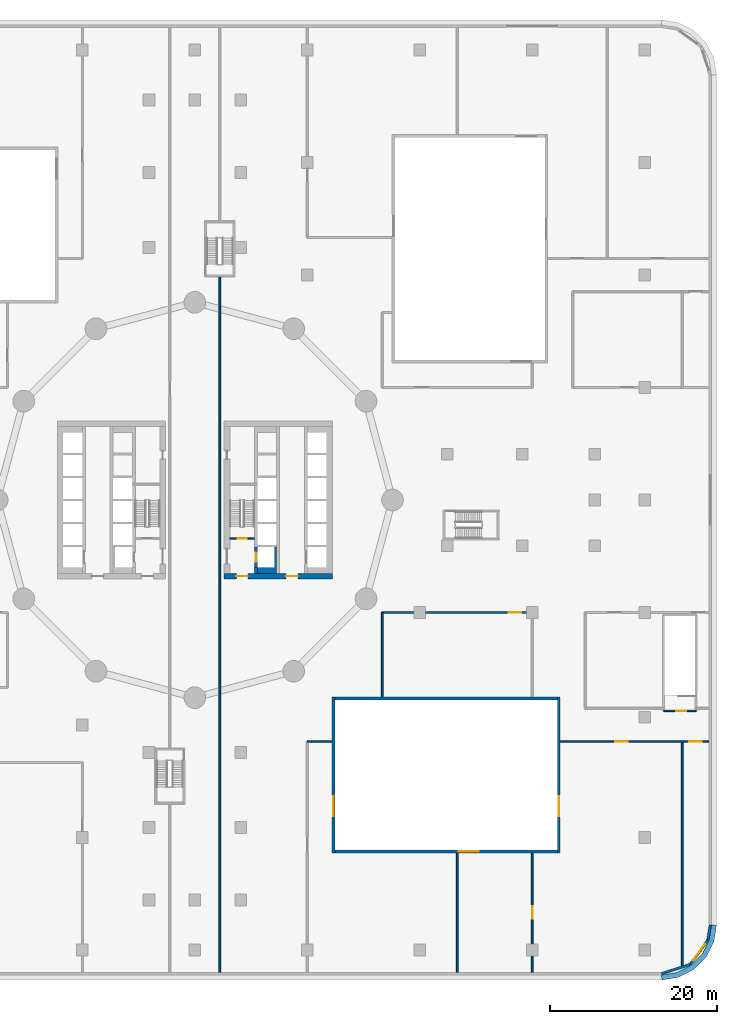
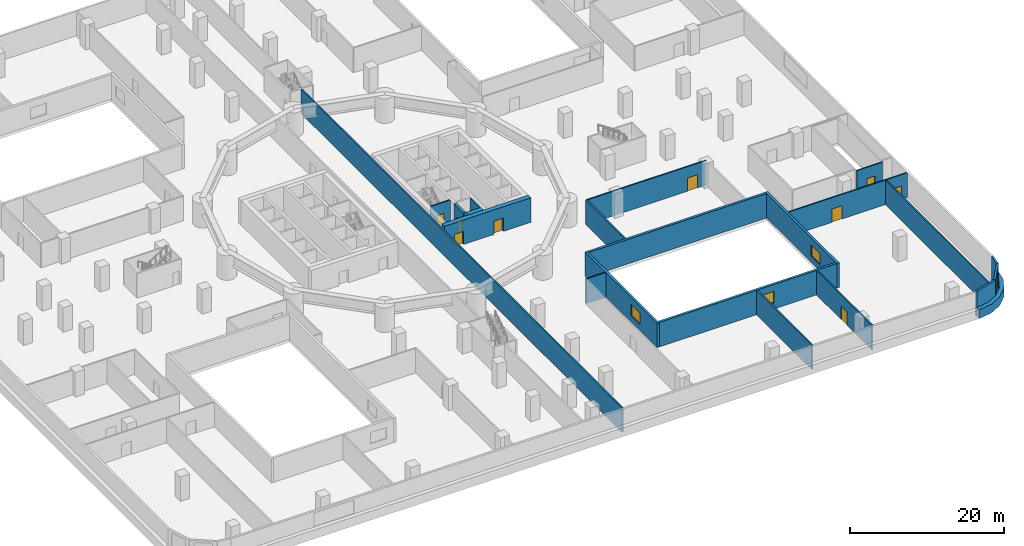
# One storey, part 6 of 16: 21 walls, 9 doors, 4 windows, 1 member, 13 openings.
"""IFC4 building model written with IfcOpenShell, lengths in metres."""

from ifc_helpers import new_model, si_unit, direction, frame, frame_2d, origin, place, context, subcontext, project, spatial, polyline, rectangle, outline, extrude, material, layer, layer_set, type_object, element, fill, aggregate, save


model = new_model("IFC4")

# Units and contexts
model_context = context("Model", 3, precision=1e-05, world=origin(), true_north=direction((0.0, 1.0)))
body_context = subcontext(model_context, "Body", "Model", "MODEL_VIEW")
ifc_project = project(units=[si_unit("LENGTHUNIT", "METRE"), si_unit("AREAUNIT", "SQUARE_METRE"), si_unit("VOLUMEUNIT", "CUBIC_METRE"), si_unit("PLANEANGLEUNIT", "RADIAN"), si_unit("MASSUNIT", "GRAM", prefix="KILO")], contexts=[model_context])

# Member
ifc_material_1 = material(Name="Aluminium and insulated spandrel panel", Category="aluminium")
member_type = type_object("IfcMemberType", Name="Floor-edge blade transom", PredefinedType="USERDEFINED", material=ifc_material_1)
site_placement = place(None, origin())
building_placement = place(site_placement, origin())
storey_placement = place(building_placement, frame((0.0, 0.0, 25.0)))
member_placement = place(storey_placement, origin())
member = element("IfcMember", 1, at=member_placement, type_object=member_type, Name="CWT-L04-07", ObjectType="TRANSOM", PredefinedType="USERDEFINED", context=body_context, shape_type="SweptSolid", body=[
    extrude(outline(polyline([(56.0, -57.0), (57.85400390625, -56.706298828125), (59.526611328125, -55.85400390625), (60.85400390625, -54.526611328125), (61.706298828125, -52.85400390625), (62.0, -51.0), (62.60009765625, -51.047119140625), (62.2841796875, -53.041748046875), (61.345458984375, -54.8837890625), (59.8837890625, -56.345458984375), (58.041748046875, -57.2841796875), (56.047119140625, -57.60009765625), (56.0, -57.0)])), origin(), (0.0, 0.0, 1.0), 1.39990234375),
])

# Site, building, storey
site = spatial("IfcSite", under=ifc_project, at=site_placement, CompositionType="ELEMENT")
building = spatial("IfcBuilding", under=site, at=building_placement, Name="Tamarind Cross Interchange Tower", CompositionType="ELEMENT")
storey = spatial("IfcBuildingStorey", under=building, at=storey_placement, Name="L04", CompositionType="ELEMENT", Elevation=25.0)

# Wall, openings, doors
ifc_material_2 = material(Name="Concrete C80", Category="concrete")
ifc_layer_1 = layer(ifc_material_2, 0.699951171875)
ifc_layer_set_1 = layer_set([ifc_layer_1], Name="Concrete C80")
wall_type_1 = type_object("IfcWallType", Name="Core wall 700 mm Concrete C80", PredefinedType="SHEAR", material=ifc_layer_set_1)
wall_1_placement = place(storey_placement, frame((16.5, -9.14990234375, 0.0), z_axis=(0.0, 0.0, 1.0), x_axis=(-1.0, 0.0, 0.0)))
wall_1 = element("IfcWall", 2, at=wall_1_placement, inside=storey, type_object=wall_type_1, Name="Core wall CWL-L04-E-S", PredefinedType="SHEAR", context=body_context, shape_type="SweptSolid", body=[
    extrude(rectangle(XDim=13.0, YDim=0.699951171875, at=frame_2d((6.5, 0.0))), origin(), (0.0, 0.0, 1.0), 3.89990234375),
])
opening_1_placement = place(wall_1_placement, frame((4.14990234375, 0.0, 0.0)))
opening_1 = element("IfcOpeningElement", 3, at=opening_1_placement, cuts=wall_1, Name="Opening DCE1", PredefinedType="OPENING", context=body_context, shape_type="SweptSolid", body=[
    extrude(rectangle(XDim=1.39990234375, YDim=2.10009765625, at=frame_2d((0.699951171875, 1.050048828125))), frame((0.0, 0.35986328125, 0.0), z_axis=(0.0, -1.0, 0.0), x_axis=(1.0, 0.0, 0.0)), (0.0, 0.0, 1.0), 0.719970703125),
])
opening_2_placement = place(wall_1_placement, frame((10.125, 0.0, 0.0)))
opening_2 = element("IfcOpeningElement", 4, at=opening_2_placement, cuts=wall_1, Name="Opening DCEF", PredefinedType="OPENING", context=body_context, shape_type="SweptSolid", body=[
    extrude(rectangle(XDim=1.39990234375, YDim=2.10009765625, at=frame_2d((0.699951171875, 1.050048828125))), frame((0.0, 0.35986328125, 0.0), z_axis=(0.0, -1.0, 0.0), x_axis=(1.0, 0.0, 0.0)), (0.0, 0.0, 1.0), 0.719970703125),
])
ifc_material_3 = material(Name="Steel, fire-resisting", Category="steel")
door_type_1 = type_object("IfcDoorType", Name="Core fire door 1400 x 2100 FD90", OperationType="SINGLE_SWING_LEFT", PredefinedType="DOOR", material=ifc_material_3)
door_1_placement = place(opening_1_placement, origin())
door_1 = element("IfcDoor", 5, at=door_1_placement, inside=storey, type_object=door_type_1, Name="L04 lift lobby door", OperationType="SINGLE_SWING_LEFT", OverallHeight=2.10009765625, OverallWidth=1.39990234375, PredefinedType="DOOR", context=body_context, shape_type="SweptSolid", body=[
    extrude(rectangle(XDim=1.39990234375, YDim=2.10009765625, at=frame_2d((0.699951171875, 1.050048828125))), frame((0.0, 0.02490234375, 0.0), z_axis=(0.0, -1.0, 0.0), x_axis=(1.0, 0.0, 0.0)), (0.0, 0.0, 1.0), 0.050048828125),
])
fill(opening_1, door_1)
door_2_placement = place(opening_2_placement, origin())
door_2 = element("IfcDoor", 6, at=door_2_placement, inside=storey, type_object=door_type_1, Name="L04 firefighting lobby end door", OperationType="SINGLE_SWING_LEFT", OverallHeight=2.10009765625, OverallWidth=1.39990234375, PredefinedType="DOOR", context=body_context, shape_type="SweptSolid", body=[
    extrude(rectangle(XDim=1.39990234375, YDim=2.10009765625, at=frame_2d((0.699951171875, 1.050048828125))), frame((0.0, 0.02490234375, 0.0), z_axis=(0.0, -1.0, 0.0), x_axis=(1.0, 0.0, 0.0)), (0.0, 0.0, 1.0), 0.050048828125),
])
fill(opening_2, door_2)

# Walls
ifc_layer_2 = layer(ifc_material_2, 0.35009765625)
ifc_layer_set_2 = layer_set([ifc_layer_2], Name="Concrete C80")
wall_type_2 = type_object("IfcWallType", Name="Core web wall 350 mm Concrete C80", PredefinedType="SHEAR", material=ifc_layer_set_2)
wall_2_placement = place(storey_placement, origin())
element("IfcWall", 7, at=wall_2_placement, inside=storey, type_object=wall_type_2, Name="Core wall CWL-L04-E-BS", PredefinedType="SHEAR", context=body_context, shape_type="SweptSolid", body=[
    extrude(outline(polyline([(7.5, -8.125), (7.5, -8.800048828125), (9.800048828125, -8.800048828125), (9.800048828125, -8.125), (9.800048828125, -5.625), (9.550048828125, -5.625), (9.550048828125, -8.125), (7.5, -8.125)])), origin(), (0.0, 0.0, 1.0), 3.89990234375),
])
wall_3_placement = place(storey_placement, frame((7.324951171875, -8.800048828125, 0.0), z_axis=(0.0, 0.0, 1.0), x_axis=(0.0, 1.0, 0.0)))
element("IfcWall", 8, at=wall_3_placement, inside=storey, type_object=wall_type_2, Name="Core wall CWL-L04-E-BW", PredefinedType="SHEAR", context=body_context, shape_type="SweptSolid", body=[
    extrude(rectangle(XDim=0.675048828125, YDim=0.35009765625, at=frame_2d((0.33740234375, 0.0))), origin(), (0.0, 0.0, 1.0), 3.89990234375),
])

# Wall, opening, door
wall_4_placement = place(storey_placement, frame((7.324951171875, -8.125, 0.0), z_axis=(0.0, 0.0, 1.0), x_axis=(0.0, 1.0, 0.0)))
wall_4 = element("IfcWall", 9, at=wall_4_placement, inside=storey, type_object=wall_type_2, Name="Core wall CWL-L04-E-FF", PredefinedType="SHEAR", context=body_context, shape_type="SweptSolid", body=[
    extrude(rectangle(XDim=2.5, YDim=0.35009765625, at=frame_2d((1.25, 0.0))), origin(), (0.0, 0.0, 1.0), 3.89990234375),
])
opening_3_placement = place(wall_4_placement, frame((0.699951171875, 0.0, 0.0)))
opening_3 = element("IfcOpeningElement", 10, at=opening_3_placement, cuts=wall_4, Name="Opening LD19L04", PredefinedType="OPENING", context=body_context, shape_type="SweptSolid", body=[
    extrude(rectangle(XDim=1.10009765625, YDim=2.10009765625, at=frame_2d((0.550048828125, 1.050048828125))), frame((0.0, 0.18505859375, 0.0), z_axis=(0.0, -1.0, 0.0), x_axis=(1.0, 0.0, 0.0)), (0.0, 0.0, 1.0), 0.3701171875),
])
ifc_material_4 = material(Name="Stainless steel panel", Category="steel")
door_type_2 = type_object("IfcDoorType", Name="Lift landing door 1100 x 2100 E 120", OperationType="SLIDING_TO_LEFT", PredefinedType="DOOR", material=ifc_material_4)
door_3_placement = place(opening_3_placement, origin())
door_3 = element("IfcDoor", 11, at=door_3_placement, inside=storey, type_object=door_type_2, Name="L04 landing door LF19", OperationType="SLIDING_TO_LEFT", OverallHeight=2.10009765625, OverallWidth=1.10009765625, PredefinedType="DOOR", context=body_context, shape_type="SweptSolid", body=[
    extrude(rectangle(XDim=1.10009765625, YDim=2.10009765625, at=frame_2d((0.550048828125, 1.050048828125))), frame((0.0, 0.02490234375, 0.0), z_axis=(0.0, -1.0, 0.0), x_axis=(1.0, 0.0, 0.0)), (0.0, 0.0, 1.0), 0.050048828125),
])
fill(opening_3, door_3)

# Walls
ifc_material_5 = material(Name="Masonry partition, fire-rated", Category="masonry")
ifc_layer_3 = layer(ifc_material_5, 0.199951171875)
ifc_layer_set_3 = layer_set([ifc_layer_3], Name="Masonry partition, fire-rated")
wall_type_3 = type_object("IfcWallType", Name="Fire partition 200 EI 120", PredefinedType="PARTITIONING", material=ifc_layer_set_3)
wall_5_placement = place(storey_placement, frame((3.0, -56.698974609375, 0.0), z_axis=(0.0, 0.0, 1.0), x_axis=(0.0, 1.0, 0.0)))
element("IfcWall", 12, at=wall_5_placement, inside=storey, type_object=wall_type_3, Name="L04 partition 33", PredefinedType="PARTITIONING", context=body_context, shape_type="SweptSolid", body=[
    extrude(rectangle(XDim=83.468994140625, YDim=0.199951171875, at=frame_2d((41.734375, 0.0))), origin(), (0.0, 0.0, 1.0), 3.89990234375),
])
wall_6_placement = place(storey_placement, frame((13.5, -29.0, 0.0), z_axis=(0.0, 0.0, 1.0), x_axis=(1.0, 0.0, 0.0)))
element("IfcWall", 13, at=wall_6_placement, inside=storey, type_object=wall_type_3, Name="L04 partition 36", PredefinedType="PARTITIONING", context=body_context, shape_type="SweptSolid", body=[
    extrude(rectangle(XDim=2.919921875, YDim=0.199951171875, at=frame_2d((1.4599609375, 0.0))), origin(), (0.0, 0.0, 1.0), 3.89990234375),
])
wall_7_placement = place(storey_placement, frame((22.5, -23.6201171875, 0.0), z_axis=(0.0, 0.0, 1.0), x_axis=(0.0, 1.0, 0.0)))
element("IfcWall", 14, at=wall_7_placement, inside=storey, type_object=wall_type_3, Name="L04 partition 39", PredefinedType="PARTITIONING", context=body_context, shape_type="SweptSolid", body=[
    extrude(rectangle(XDim=10.1201171875, YDim=0.199951171875, at=frame_2d((5.06005859375, 0.0))), origin(), (0.0, 0.0, 1.0), 3.89990234375),
])

# Wall, opening, door
wall_8_placement = place(storey_placement, frame((22.5, -13.5, 0.0), z_axis=(0.0, 0.0, 1.0), x_axis=(1.0, 0.0, 0.0)))
wall_8 = element("IfcWall", 15, at=wall_8_placement, inside=storey, type_object=wall_type_3, Name="L04 partition 40", PredefinedType="PARTITIONING", context=body_context, shape_type="SweptSolid", body=[
    extrude(rectangle(XDim=18.0, YDim=0.199951171875, at=frame_2d((9.0, 0.0))), origin(), (0.0, 0.0, 1.0), 3.89990234375),
])
opening_4_placement = place(wall_8_placement, frame((15.14208984375, 0.0, 0.0)))
opening_4 = element("IfcOpeningElement", 16, at=opening_4_placement, cuts=wall_8, Name="Opening DL04-21", PredefinedType="OPENING", context=body_context, shape_type="SweptSolid", body=[
    extrude(rectangle(XDim=1.5, YDim=2.10009765625, at=frame_2d((0.75, 1.050048828125))), frame((0.0, 0.10986328125, 0.0), z_axis=(0.0, -1.0, 0.0), x_axis=(1.0, 0.0, 0.0)), (0.0, 0.0, 1.0), 0.219970703125),
])
door_type_3 = type_object("IfcDoorType", Name="Podium door 1500 x 2100 FD90", OperationType="SINGLE_SWING_LEFT", PredefinedType="DOOR", material=ifc_material_3)
door_4_placement = place(opening_4_placement, origin())
door_4 = element("IfcDoor", 17, at=door_4_placement, inside=storey, type_object=door_type_3, Name="L04 door Chiller Plant Room 0420", OperationType="SINGLE_SWING_LEFT", OverallHeight=2.10009765625, OverallWidth=1.5, PredefinedType="DOOR", context=body_context, shape_type="SweptSolid", body=[
    extrude(rectangle(XDim=1.5, YDim=2.10009765625, at=frame_2d((0.75, 1.050048828125))), frame((0.0, 0.02490234375, 0.0), z_axis=(0.0, -1.0, 0.0), x_axis=(1.0, 0.0, 0.0)), (0.0, 0.0, 1.0), 0.050048828125),
])
fill(opening_4, door_4)

# Wall
wall_9_placement = place(storey_placement, frame((31.5, -56.698974609375, 0.0), z_axis=(0.0, 0.0, 1.0), x_axis=(0.0, 1.0, 0.0)))
element("IfcWall", 18, at=wall_9_placement, inside=storey, type_object=wall_type_3, Name="L04 partition 46", PredefinedType="PARTITIONING", context=body_context, shape_type="SweptSolid", body=[
    extrude(rectangle(XDim=14.319091796875, YDim=0.199951171875, at=frame_2d((7.15966796875, 0.0))), origin(), (0.0, 0.0, 1.0), 3.89990234375),
])

# Wall, opening, door
wall_10_placement = place(storey_placement, frame((40.5, -56.698974609375, 0.0), z_axis=(0.0, 0.0, 1.0), x_axis=(0.0, 1.0, 0.0)))
wall_10 = element("IfcWall", 19, at=wall_10_placement, inside=storey, type_object=wall_type_3, Name="L04 partition 48", PredefinedType="PARTITIONING", context=body_context, shape_type="SweptSolid", body=[
    extrude(rectangle(XDim=14.319091796875, YDim=0.199951171875, at=frame_2d((7.15966796875, 0.0))), origin(), (0.0, 0.0, 1.0), 3.89990234375),
])
opening_5_placement = place(wall_10_placement, frame((6.424072265625, 0.0, 0.0)))
opening_5 = element("IfcOpeningElement", 20, at=opening_5_placement, cuts=wall_10, Name="Opening DL04-24", PredefinedType="OPENING", context=body_context, shape_type="SweptSolid", body=[
    extrude(rectangle(XDim=1.5, YDim=2.10009765625, at=frame_2d((0.75, 1.050048828125))), frame((0.0, 0.10986328125, 0.0), z_axis=(0.0, -1.0, 0.0), x_axis=(1.0, 0.0, 0.0)), (0.0, 0.0, 1.0), 0.219970703125),
])
door_type_4 = type_object("IfcDoorType", Name="Podium door 1500 x 2100 FD60", OperationType="SINGLE_SWING_LEFT", PredefinedType="DOOR", material=ifc_material_3)
door_5_placement = place(opening_5_placement, origin())
door_5 = element("IfcDoor", 21, at=door_5_placement, inside=storey, type_object=door_type_4, Name="L04 door Water Tank Room 0424", OperationType="SINGLE_SWING_RIGHT", OverallHeight=2.10009765625, OverallWidth=1.5, PredefinedType="DOOR", context=body_context, shape_type="SweptSolid", body=[
    extrude(rectangle(XDim=1.5, YDim=2.10009765625, at=frame_2d((0.75, 1.050048828125))), frame((0.0, 0.02490234375, 0.0), z_axis=(0.0, -1.0, 0.0), x_axis=(1.0, 0.0, 0.0)), (0.0, 0.0, 1.0), 0.050048828125),
])
fill(opening_5, door_5)

# Wall, openings, doors
wall_11_placement = place(storey_placement, frame((43.8798828125, -29.0, 0.0), z_axis=(0.0, 0.0, 1.0), x_axis=(1.0, 0.0, 0.0)))
wall_11 = element("IfcWall", 22, at=wall_11_placement, inside=storey, type_object=wall_type_3, Name="L04 partition 50", PredefinedType="PARTITIONING", context=body_context, shape_type="SweptSolid", body=[
    extrude(rectangle(XDim=17.819091796875, YDim=0.199951171875, at=frame_2d((8.90966796875, 0.0))), origin(), (0.0, 0.0, 1.0), 3.89990234375),
])
opening_6_placement = place(wall_11_placement, frame((6.544921875, 0.0, 0.0)))
opening_6 = element("IfcOpeningElement", 23, at=opening_6_placement, cuts=wall_11, Name="Opening DL04-25", PredefinedType="OPENING", context=body_context, shape_type="SweptSolid", body=[
    extrude(rectangle(XDim=1.5, YDim=2.10009765625, at=frame_2d((0.75, 1.050048828125))), frame((0.0, 0.10986328125, 0.0), z_axis=(0.0, -1.0, 0.0), x_axis=(1.0, 0.0, 0.0)), (0.0, 0.0, 1.0), 0.219970703125),
])
opening_7_placement = place(wall_11_placement, frame((15.469970703125, 0.0, 0.0)))
opening_7 = element("IfcOpeningElement", 24, at=opening_7_placement, cuts=wall_11, Name="Opening DL04-26", PredefinedType="OPENING", context=body_context, shape_type="SweptSolid", body=[
    extrude(rectangle(XDim=1.5, YDim=2.10009765625, at=frame_2d((0.75, 1.050048828125))), frame((0.0, 0.10986328125, 0.0), z_axis=(0.0, -1.0, 0.0), x_axis=(1.0, 0.0, 0.0)), (0.0, 0.0, 1.0), 0.219970703125),
])
door_6_placement = place(opening_6_placement, origin())
door_6 = element("IfcDoor", 25, at=door_6_placement, inside=storey, type_object=door_type_4, Name="L04 door Battery Room 0425", OperationType="SINGLE_SWING_LEFT", OverallHeight=2.10009765625, OverallWidth=1.5, PredefinedType="DOOR", context=body_context, shape_type="SweptSolid", body=[
    extrude(rectangle(XDim=1.5, YDim=2.10009765625, at=frame_2d((0.75, 1.050048828125))), frame((0.0, 0.02490234375, 0.0), z_axis=(0.0, -1.0, 0.0), x_axis=(1.0, 0.0, 0.0)), (0.0, 0.0, 1.0), 0.050048828125),
])
fill(opening_6, door_6)
door_7_placement = place(opening_7_placement, origin())
door_7 = element("IfcDoor", 26, at=door_7_placement, inside=storey, type_object=door_type_3, Name="L04 door Chiller Plant Room 0426", OperationType="SINGLE_SWING_RIGHT", OverallHeight=2.10009765625, OverallWidth=1.5, PredefinedType="DOOR", context=body_context, shape_type="SweptSolid", body=[
    extrude(rectangle(XDim=1.5, YDim=2.10009765625, at=frame_2d((0.75, 1.050048828125))), frame((0.0, 0.02490234375, 0.0), z_axis=(0.0, -1.0, 0.0), x_axis=(1.0, 0.0, 0.0)), (0.0, 0.0, 1.0), 0.050048828125),
])
fill(opening_7, door_7)

# Wall
wall_12_placement = place(storey_placement, frame((58.5, -56.03955078125, 0.0), z_axis=(0.0, 0.0, 1.0), x_axis=(0.0, 1.0, 0.0)))
element("IfcWall", 27, at=wall_12_placement, inside=storey, type_object=wall_type_3, Name="L04 partition 55", PredefinedType="PARTITIONING", context=body_context, shape_type="SweptSolid", body=[
    extrude(rectangle(XDim=27.03955078125, YDim=0.199951171875, at=frame_2d((13.519775390625, 0.0))), origin(), (0.0, 0.0, 1.0), 3.89990234375),
])

ifc_material_6 = material(Name="Precast concrete C40", Category="concrete")
ifc_layer_4 = layer(ifc_material_6, 0.300048828125)
ifc_layer_set_4 = layer_set([ifc_layer_4], Name="Precast concrete C40")
wall_type_4 = type_object("IfcWallType", Name="Plant louvre wall", PredefinedType="SOLIDWALL", material=ifc_layer_set_4)
wall_13_placement = place(storey_placement, frame((55.98828125, -56.85009765625, 0.0), z_axis=(0.0, 0.0, 1.0), x_axis=(0.951204127457, 0.308562324189, 0.0)))
wall_13 = element("IfcWall", 28, at=wall_13_placement, inside=storey, type_object=wall_type_4, Name="EXW-L04-07-00", PredefinedType="SOLIDWALL", context=body_context, shape_type="SweptSolid", body=[
    extrude(rectangle(XDim=3.626220703125, YDim=0.300048828125, at=frame_2d((1.81298828125, 0.0))), origin(), (0.0, 0.0, 1.0), 3.89990234375),
])

aggregate(wall_13, [member])

# Wall, opening, window
wall_14_placement = place(storey_placement, frame((59.4375, -55.731201171875, 0.0), z_axis=(0.0, 0.0, 1.0), x_axis=(0.587794100557, 0.80901056566, 0.0)))
wall_14 = element("IfcWall", 29, at=wall_14_placement, inside=storey, type_object=wall_type_4, Name="EXW-L04-07-01", PredefinedType="SOLIDWALL", context=body_context, shape_type="SweptSolid", body=[
    extrude(rectangle(XDim=3.614501953125, YDim=0.300048828125, at=frame_2d((1.80712890625, 0.0))), origin(), (0.0, 0.0, 1.0), 3.89990234375),
])
opening_8_placement = place(wall_14_placement, frame((0.60009765625, 0.0, 1.39990234375)))
opening_8 = element("IfcOpeningElement", 30, at=opening_8_placement, cuts=wall_14, Name="Opening W2", PredefinedType="OPENING", context=body_context, shape_type="SweptSolid", body=[
    extrude(rectangle(XDim=2.414306640625, YDim=2.199951171875, at=frame_2d((1.20703125, 1.10009765625))), frame((0.0, 0.159912109375, 0.0), z_axis=(0.0, -1.0, 0.0), x_axis=(1.0, 0.0, 0.0)), (0.0, 0.0, 1.0), 0.320068359375),
])
ifc_material_7 = material(Name="Aluminium louvre", Category="aluminium")
window_type_1 = type_object("IfcWindowType", Name="Plant louvre bank", PartitioningType="SINGLE_PANEL", PredefinedType="WINDOW", material=ifc_material_7)
window_1_placement = place(opening_8_placement, origin())
window_1 = element("IfcWindow", 31, at=window_1_placement, inside=storey, type_object=window_type_1, Name="WIN-L04-07-01", OverallHeight=2.199951171875, OverallWidth=2.414306640625, PartitioningType="SINGLE_PANEL", PredefinedType="WINDOW", context=body_context, shape_type="SweptSolid", body=[
    extrude(rectangle(XDim=2.414306640625, YDim=2.199951171875, at=frame_2d((1.20703125, 1.10009765625))), frame((0.0, 0.030029296875, 0.0), z_axis=(0.0, -1.0, 0.0), x_axis=(1.0, 0.0, 0.0)), (0.0, 0.0, 1.0), 0.06005859375),
])
fill(opening_8, window_1)

# Wall
wall_15_placement = place(storey_placement, frame((61.56201171875, -52.80712890625, 0.0), z_axis=(0.0, 0.0, 1.0), x_axis=(0.15643911056, 0.987687604806, 0.0)))
element("IfcWall", 32, at=wall_15_placement, inside=storey, type_object=wall_type_4, Name="EXW-L04-07-02", PredefinedType="SOLIDWALL", context=body_context, shape_type="SweptSolid", body=[
    extrude(rectangle(XDim=1.841552734375, YDim=0.300048828125, at=frame_2d((0.9208984375, 0.0))), origin(), (0.0, 0.0, 1.0), 3.89990234375),
])

# Wall, opening, window
ifc_layer_5 = layer(ifc_material_6, 0.35009765625)
ifc_layer_set_5 = layer_set([ifc_layer_5], Name="Precast concrete C40")
wall_type_5 = type_object("IfcWallType", Name="Podium facade wall", PredefinedType="SOLIDWALL", material=ifc_layer_set_5)
wall_16_placement = place(storey_placement, frame((16.800048828125, -42.175048828125, 0.0), z_axis=(0.0, 0.0, 1.0), x_axis=(1.0, 0.0, 0.0)))
wall_16 = element("IfcWall", 33, at=wall_16_placement, inside=storey, type_object=wall_type_5, Name="CTW-L04-SES00", PredefinedType="SOLIDWALL", context=body_context, shape_type="SweptSolid", body=[
    extrude(rectangle(XDim=26.699951171875, YDim=0.35009765625, at=frame_2d((13.35009765625, 0.0))), origin(), (0.0, 0.0, 1.0), 3.89990234375),
])
opening_9_placement = place(wall_16_placement, frame((14.85009765625, 0.0, 1.0)))
opening_9 = element("IfcOpeningElement", 34, at=opening_9_placement, cuts=wall_16, Name="Opening W4", PredefinedType="OPENING", context=body_context, shape_type="SweptSolid", body=[
    extrude(rectangle(XDim=2.39990234375, YDim=1.800048828125, at=frame_2d((1.199951171875, 0.89990234375))), frame((0.0, 0.18505859375, 0.0), z_axis=(0.0, -1.0, 0.0), x_axis=(1.0, 0.0, 0.0)), (0.0, 0.0, 1.0), 0.3701171875),
])
ifc_material_8 = material(Name="Aluminium and toughened glass", Category="aluminium")
window_type_2 = type_object("IfcWindowType", Name="Podium daylight window", PartitioningType="SINGLE_PANEL", PredefinedType="WINDOW", material=ifc_material_8)
window_2_placement = place(opening_9_placement, origin())
window_2 = element("IfcWindow", 35, at=window_2_placement, inside=storey, type_object=window_type_2, Name="CTX-L04-SES-01-00", OverallHeight=1.800048828125, OverallWidth=2.39990234375, PartitioningType="SINGLE_PANEL", PredefinedType="WINDOW", context=body_context, shape_type="SweptSolid", body=[
    extrude(rectangle(XDim=2.39990234375, YDim=1.800048828125, at=frame_2d((1.199951171875, 0.89990234375))), frame((0.0, 0.030029296875, 0.0), z_axis=(0.0, -1.0, 0.0), x_axis=(1.0, 0.0, 0.0)), (0.0, 0.0, 1.0), 0.06005859375),
])
fill(opening_9, window_2)

# Wall
wall_17_placement = place(storey_placement, frame((16.800048828125, -23.824951171875, 0.0), z_axis=(0.0, 0.0, 1.0), x_axis=(1.0, 0.0, 0.0)))
element("IfcWall", 36, at=wall_17_placement, inside=storey, type_object=wall_type_5, Name="CTW-L04-SEN00", PredefinedType="SOLIDWALL", context=body_context, shape_type="SweptSolid", body=[
    extrude(rectangle(XDim=26.699951171875, YDim=0.35009765625, at=frame_2d((13.35009765625, 0.0))), origin(), (0.0, 0.0, 1.0), 3.89990234375),
])

# Wall, opening, window
wall_18_placement = place(storey_placement, frame((16.625, -42.35009765625, 0.0), z_axis=(0.0, 0.0, 1.0), x_axis=(0.0, 1.0, 0.0)))
wall_18 = element("IfcWall", 37, at=wall_18_placement, inside=storey, type_object=wall_type_5, Name="CTW-L04-SEW00", PredefinedType="SOLIDWALL", context=body_context, shape_type="SweptSolid", body=[
    extrude(rectangle(XDim=18.7001953125, YDim=0.35009765625, at=frame_2d((9.35009765625, 0.0))), origin(), (0.0, 0.0, 1.0), 3.89990234375),
])
opening_10_placement = place(wall_18_placement, frame((4.39990234375, 0.0, 1.0)))
opening_10 = element("IfcOpeningElement", 38, at=opening_10_placement, cuts=wall_18, Name="Opening W4", PredefinedType="OPENING", context=body_context, shape_type="SweptSolid", body=[
    extrude(rectangle(XDim=2.39990234375, YDim=1.800048828125, at=frame_2d((1.199951171875, 0.89990234375))), frame((0.0, 0.18505859375, 0.0), z_axis=(0.0, -1.0, 0.0), x_axis=(1.0, 0.0, 0.0)), (0.0, 0.0, 1.0), 0.3701171875),
])
window_3_placement = place(opening_10_placement, origin())
window_3 = element("IfcWindow", 39, at=window_3_placement, inside=storey, type_object=window_type_2, Name="CTX-L04-SEW-00-00", OverallHeight=1.800048828125, OverallWidth=2.39990234375, PartitioningType="SINGLE_PANEL", PredefinedType="WINDOW", context=body_context, shape_type="SweptSolid", body=[
    extrude(rectangle(XDim=2.39990234375, YDim=1.800048828125, at=frame_2d((1.199951171875, 0.89990234375))), frame((0.0, 0.030029296875, 0.0), z_axis=(0.0, -1.0, 0.0), x_axis=(1.0, 0.0, 0.0)), (0.0, 0.0, 1.0), 0.06005859375),
])
fill(opening_10, window_3)

wall_19_placement = place(storey_placement, frame((43.675048828125, -42.35009765625, 0.0), z_axis=(0.0, 0.0, 1.0), x_axis=(0.0, 1.0, 0.0)))
wall_19 = element("IfcWall", 40, at=wall_19_placement, inside=storey, type_object=wall_type_5, Name="CTW-L04-SEE00", PredefinedType="SOLIDWALL", context=body_context, shape_type="SweptSolid", body=[
    extrude(rectangle(XDim=18.7001953125, YDim=0.35009765625, at=frame_2d((9.35009765625, 0.0))), origin(), (0.0, 0.0, 1.0), 3.89990234375),
])
opening_11_placement = place(wall_19_placement, frame((4.39990234375, 0.0, 1.0)))
opening_11 = element("IfcOpeningElement", 41, at=opening_11_placement, cuts=wall_19, Name="Opening W4", PredefinedType="OPENING", context=body_context, shape_type="SweptSolid", body=[
    extrude(rectangle(XDim=2.39990234375, YDim=1.800048828125, at=frame_2d((1.199951171875, 0.89990234375))), frame((0.0, 0.18505859375, 0.0), z_axis=(0.0, -1.0, 0.0), x_axis=(1.0, 0.0, 0.0)), (0.0, 0.0, 1.0), 0.3701171875),
])
window_4_placement = place(opening_11_placement, origin())
window_4 = element("IfcWindow", 42, at=window_4_placement, inside=storey, type_object=window_type_2, Name="CTX-L04-SEE-00-00", OverallHeight=1.800048828125, OverallWidth=2.39990234375, PartitioningType="SINGLE_PANEL", PredefinedType="WINDOW", context=body_context, shape_type="SweptSolid", body=[
    extrude(rectangle(XDim=2.39990234375, YDim=1.800048828125, at=frame_2d((1.199951171875, 0.89990234375))), frame((0.0, 0.030029296875, 0.0), z_axis=(0.0, -1.0, 0.0), x_axis=(1.0, 0.0, 0.0)), (0.0, 0.0, 1.0), 0.06005859375),
])
fill(opening_11, window_4)

# Wall, opening, door
ifc_material_9 = material(Name="Concrete C40", Category="concrete")
ifc_layer_6 = layer(ifc_material_9, 0.199951171875)
ifc_layer_set_6 = layer_set([ifc_layer_6], Name="Concrete C40")
wall_type_6 = type_object("IfcWallType", Name="Stair shaft wall 200 EI 180", PredefinedType="PARTITIONING", material=ifc_layer_set_6)
wall_20_placement = place(storey_placement, frame((56.25, -25.300048828125, 0.0), z_axis=(0.0, 0.0, 1.0), x_axis=(1.0, 0.0, 0.0)))
wall_20 = element("IfcWall", 43, at=wall_20_placement, inside=storey, type_object=wall_type_6, Name="L04 stair shaft wall 4", PredefinedType="PARTITIONING", context=body_context, shape_type="SweptSolid", body=[
    extrude(rectangle(XDim=3.89990234375, YDim=0.199951171875, at=frame_2d((1.949951171875, 0.0))), origin(), (0.0, 0.0, 1.0), 3.89990234375),
])
opening_12_placement = place(wall_20_placement, frame((1.510009765625, 0.0, 0.0)))
opening_12 = element("IfcOpeningElement", 44, at=opening_12_placement, cuts=wall_20, Name="Opening DL04-01", PredefinedType="OPENING", context=body_context, shape_type="SweptSolid", body=[
    extrude(rectangle(XDim=1.199951171875, YDim=2.10009765625, at=frame_2d((0.60009765625, 1.050048828125))), frame((0.0, 0.10986328125, 0.0), z_axis=(0.0, -1.0, 0.0), x_axis=(1.0, 0.0, 0.0)), (0.0, 0.0, 1.0), 0.219970703125),
])
door_type_5 = type_object("IfcDoorType", Name="Podium door 1200 x 2100 FD90", OperationType="SINGLE_SWING_LEFT", PredefinedType="DOOR", material=ifc_material_3)
door_8_placement = place(opening_12_placement, origin())
door_8 = element("IfcDoor", 45, at=door_8_placement, inside=storey, type_object=door_type_5, Name="L04 door Exit Stair PX11", OperationType="SINGLE_SWING_LEFT", OverallHeight=2.10009765625, OverallWidth=1.199951171875, PredefinedType="DOOR", context=body_context, shape_type="SweptSolid", body=[
    extrude(rectangle(XDim=1.199951171875, YDim=2.10009765625, at=frame_2d((0.60009765625, 1.050048828125))), frame((0.0, 0.02490234375, 0.0), z_axis=(0.0, -1.0, 0.0), x_axis=(1.0, 0.0, 0.0)), (0.0, 0.0, 1.0), 0.050048828125),
])
fill(opening_12, door_8)

ifc_layer_7 = layer(ifc_material_9, 0.199951171875)
ifc_layer_set_7 = layer_set([ifc_layer_7], Name="Concrete C40")
wall_type_7 = type_object("IfcWallType", Name="Stair shaft wall 200 mm Concrete C40", PredefinedType="SHEAR", material=ifc_layer_set_7)
wall_21_placement = place(storey_placement, frame((7.14990234375, -4.60009765625, 0.0), z_axis=(0.0, 0.0, 1.0), x_axis=(-1.0, 0.0, 0.0)))
wall_21 = element("IfcWall", 46, at=wall_21_placement, inside=storey, type_object=wall_type_7, Name="Core wall CWL-L04-E-SD", PredefinedType="SHEAR", context=body_context, shape_type="SweptSolid", body=[
    extrude(rectangle(XDim=2.949951171875, YDim=0.199951171875, at=frame_2d((1.47509765625, 0.0))), origin(), (0.0, 0.0, 1.0), 3.89990234375),
])
opening_13_placement = place(wall_21_placement, frame((0.925048828125, 0.0, 0.0)))
opening_13 = element("IfcOpeningElement", 47, at=opening_13_placement, cuts=wall_21, Name="Opening DCE6", PredefinedType="OPENING", context=body_context, shape_type="SweptSolid", body=[
    extrude(rectangle(XDim=1.10009765625, YDim=2.10009765625, at=frame_2d((0.550048828125, 1.050048828125))), frame((0.0, 0.10986328125, 0.0), z_axis=(0.0, -1.0, 0.0), x_axis=(1.0, 0.0, 0.0)), (0.0, 0.0, 1.0), 0.219970703125),
])
door_type_6 = type_object("IfcDoorType", Name="Core fire door 1100 x 2100 FD90", OperationType="SINGLE_SWING_LEFT", PredefinedType="DOOR", material=ifc_material_3)
door_9_placement = place(opening_13_placement, origin())
door_9 = element("IfcDoor", 48, at=door_9_placement, inside=storey, type_object=door_type_6, Name="L04 stair door", OperationType="SINGLE_SWING_LEFT", OverallHeight=2.10009765625, OverallWidth=1.10009765625, PredefinedType="DOOR", context=body_context, shape_type="SweptSolid", body=[
    extrude(rectangle(XDim=1.10009765625, YDim=2.10009765625, at=frame_2d((0.550048828125, 1.050048828125))), frame((0.0, 0.02490234375, 0.0), z_axis=(0.0, -1.0, 0.0), x_axis=(1.0, 0.0, 0.0)), (0.0, 0.0, 1.0), 0.050048828125),
])
fill(opening_13, door_9)

save(model, "model.ifc")
